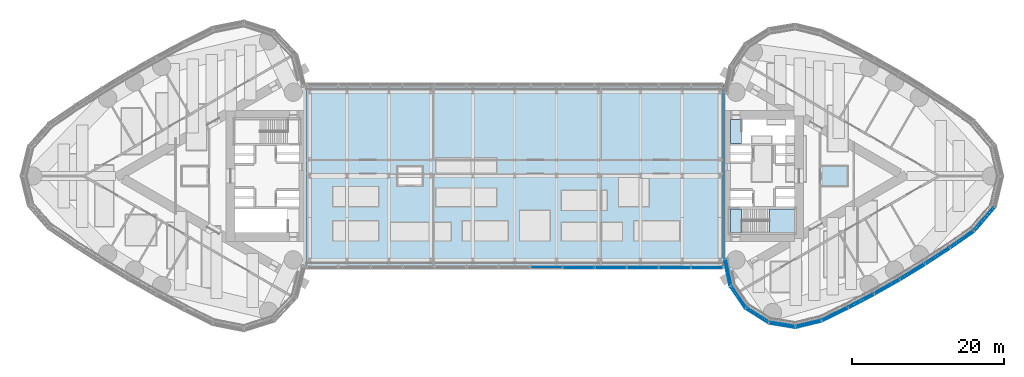
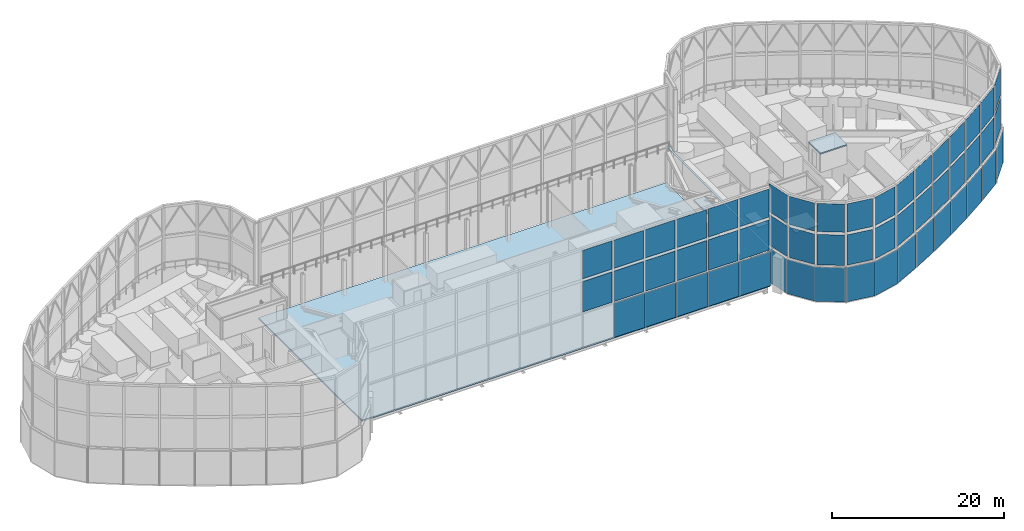
# One storey, part 24 of 33: 55 plates, 5 slabs, 5 elements without a shape of their own.
"""IFC4 building model written with IfcOpenShell, lengths in metres."""

from ifc_helpers import new_model, si_unit, direction, frame, origin, origin_2d, place, context, subcontext, project, spatial, polyline, rectangle, outline, extrude, material, layer, layer_set, type_object, element, aggregate, save


model = new_model("IFC4")

# Units and contexts
model_context = context("Model", 3, precision=1e-05, world=origin(), true_north=direction((0.0, 1.0)))
body_context = subcontext(model_context, "Body", "Model", "MODEL_VIEW")
ifc_project = project(units=[si_unit("LENGTHUNIT", "METRE"), si_unit("AREAUNIT", "SQUARE_METRE"), si_unit("VOLUMEUNIT", "CUBIC_METRE"), si_unit("PLANEANGLEUNIT", "RADIAN"), si_unit("MASSUNIT", "GRAM", prefix="KILO")], contexts=[model_context])

# Site, building, storey
site_placement = place(None, origin())
site = spatial("IfcSite", under=ifc_project, at=site_placement, CompositionType="ELEMENT")
building_placement = place(site_placement, origin())
building = spatial("IfcBuilding", under=site, at=building_placement, Name="Lancet Gate Hotel", CompositionType="ELEMENT")
storey_placement = place(building_placement, frame((0.0, 0.0, 268.300048828125)))
storey = spatial("IfcBuildingStorey", under=building, at=storey_placement, Name="L70", CompositionType="ELEMENT", Elevation=268.300048828125)

# Slab
ifc_material_1 = material(Name="Concrete C40/50", Category="concrete")
ifc_layer_1 = layer(ifc_material_1, 0.199951171875)
ifc_layer_set_1 = layer_set([ifc_layer_1], Name="Composite floor slab 200")
slab_type_1 = type_object("IfcSlabType", Name="Composite floor slab 200", PredefinedType="FLOOR", material=ifc_layer_set_1)
slab_1_placement = place(storey_placement, frame((0.0, 0.0, -0.199951171875)))
element("IfcSlab", 1, at=slab_1_placement, inside=storey, type_object=slab_type_1, Name="Bridge block L70 floor slab", PredefinedType="FLOOR", context=body_context, shape_type="SweptSolid", body=[
    extrude(outline(polyline([(27.35009765625, -12.0), (27.35009765625, 12.0), (-27.35009765625, 12.0), (-27.35009765625, -12.0), (27.35009765625, -12.0)])), origin(), (0.0, 0.0, 1.0), 0.199951171875),
])

# Curtain wall, plates
ifc_material_2 = material(Name="Aluminium curtain wall", Category="aluminium")
curtain_wall_type_1 = type_object("IfcCurtainWallType", Name="Lantern crown glazing", PredefinedType="USERDEFINED", material=ifc_material_2)
curtain_wall_1_placement = place(storey_placement, origin())
curtain_wall_1 = element("IfcCurtainWall", 2, at=curtain_wall_1_placement, inside=storey, type_object=curtain_wall_type_1, Name="T2 L70 curtain wall 1", ObjectType="LANTERN GLAZING", PredefinedType="USERDEFINED")
ifc_material_3 = material(Name="Laminated low-iron glass 12-12", Category="glass")
ifc_layer_2 = layer(ifc_material_3, 0.02392578125)
ifc_layer_set_2 = layer_set([ifc_layer_2], Name="Lantern glass panel")
plate_type_1 = type_object("IfcPlateType", Name="Lantern glass panel", PredefinedType="CURTAIN_PANEL", material=ifc_layer_set_2)
plate_1_placement = place(storey_placement, frame((27.8583984375, -12.707763671875, 0.0), z_axis=(0.0, 0.0, 1.0), x_axis=(0.199533486841, -0.979891008036, 0.0)))
plate_1 = element("IfcPlate", 3, at=plate_1_placement, type_object=plate_type_1, Name="T2 L70 curtain wall 1 panel 1", PredefinedType="CURTAIN_PANEL", context=body_context, shape_type="SweptSolid", body=[
    extrude(rectangle(XDim=3.526611328125, YDim=0.02392578125, at=origin_2d()), origin(), (0.0, 0.0, 1.0), 4.85009765625),
])
plate_2_placement = place(storey_placement, frame((29.234619140625, -15.947021484375, 0.0), z_axis=(0.0, 0.0, 1.0), x_axis=(0.566823864908, -0.823839005007, 0.0)))
plate_2 = element("IfcPlate", 4, at=plate_2_placement, type_object=plate_type_1, Name="T2 L70 curtain wall 1 panel 2", PredefinedType="CURTAIN_PANEL", context=body_context, shape_type="SweptSolid", body=[
    extrude(rectangle(XDim=3.526611328125, YDim=0.02392578125, at=origin_2d()), origin(), (0.0, 0.0, 1.0), 4.85009765625),
])
plate_3_placement = place(storey_placement, frame((31.767822265625, -18.389892578125, 0.0), z_axis=(0.0, 0.0, 1.0), x_axis=(0.843845020422, -0.536586974785, 0.0)))
plate_3 = element("IfcPlate", 5, at=plate_3_placement, type_object=plate_type_1, Name="T2 L70 curtain wall 1 panel 3", PredefinedType="CURTAIN_PANEL", context=body_context, shape_type="SweptSolid", body=[
    extrude(rectangle(XDim=3.526611328125, YDim=0.02392578125, at=origin_2d()), origin(), (0.0, 0.0, 1.0), 4.85009765625),
])
plate_4_placement = place(storey_placement, frame((35.0546875, -19.64794921875, 0.0), z_axis=(0.0, 0.0, 1.0), x_axis=(0.986480101775, -0.163881081283, 0.0)))
plate_4 = element("IfcPlate", 6, at=plate_4_placement, type_object=plate_type_1, Name="T2 L70 curtain wall 1 panel 4", PredefinedType="CURTAIN_PANEL", context=body_context, shape_type="SweptSolid", body=[
    extrude(rectangle(XDim=3.526611328125, YDim=0.02392578125, at=origin_2d()), origin(), (0.0, 0.0, 1.0), 4.85009765625),
])
plate_5_placement = place(storey_placement, frame((38.57177734375, -19.520263671875, 0.0), z_axis=(0.0, 0.0, 1.0), x_axis=(0.972013837597, 0.234923603582, 0.0)))
plate_5 = element("IfcPlate", 7, at=plate_5_placement, type_object=plate_type_1, Name="T2 L70 curtain wall 1 panel 5", PredefinedType="CURTAIN_PANEL", context=body_context, shape_type="SweptSolid", body=[
    extrude(rectangle(XDim=3.526611328125, YDim=0.02392578125, at=origin_2d()), origin(), (0.0, 0.0, 1.0), 4.85009765625),
])
plate_6_placement = place(storey_placement, frame((42.062744140625, -18.247314453125, 0.0), z_axis=(0.0, 0.0, 1.0), x_axis=(0.898823462202, 0.438310830114, 0.0)))
plate_6 = element("IfcPlate", 8, at=plate_6_placement, type_object=plate_type_1, Name="T2 L70 curtain wall 1 panel 6", PredefinedType="CURTAIN_PANEL", context=body_context, shape_type="SweptSolid", body=[
    extrude(rectangle(XDim=3.818603515625, YDim=0.02392578125, at=origin_2d()), origin(), (0.0, 0.0, 1.0), 4.85009765625),
])
plate_7_placement = place(storey_placement, frame((45.52587890625, -16.49072265625, 0.0), z_axis=(0.0, 0.0, 1.0), x_axis=(0.884622760861, 0.466307378204, 0.0)))
plate_7 = element("IfcPlate", 9, at=plate_7_placement, type_object=plate_type_1, Name="T2 L70 curtain wall 1 panel 7", PredefinedType="CURTAIN_PANEL", context=body_context, shape_type="SweptSolid", body=[
    extrude(rectangle(XDim=3.818603515625, YDim=0.02392578125, at=origin_2d()), origin(), (0.0, 0.0, 1.0), 4.85009765625),
])
plate_8_placement = place(storey_placement, frame((48.93212890625, -14.626220703125, 0.0), z_axis=(0.0, 0.0, 1.0), x_axis=(0.869550293306, 0.493844395951, 0.0)))
plate_8 = element("IfcPlate", 10, at=plate_8_placement, type_object=plate_type_1, Name="T2 L70 curtain wall 1 panel 8", PredefinedType="CURTAIN_PANEL", context=body_context, shape_type="SweptSolid", body=[
    extrude(rectangle(XDim=3.818603515625, YDim=0.02392578125, at=origin_2d()), origin(), (0.0, 0.0, 1.0), 4.85009765625),
])
plate_9_placement = place(storey_placement, frame((52.278076171875, -12.65576171875, 0.0), z_axis=(0.0, 0.0, 1.0), x_axis=(0.853620912967, 0.520894746513, 0.0)))
plate_9 = element("IfcPlate", 11, at=plate_9_placement, type_object=plate_type_1, Name="T2 L70 curtain wall 1 panel 9", PredefinedType="CURTAIN_PANEL", context=body_context, shape_type="SweptSolid", body=[
    extrude(rectangle(XDim=3.818603515625, YDim=0.02392578125, at=origin_2d()), origin(), (0.0, 0.0, 1.0), 4.85009765625),
])
plate_10_placement = place(storey_placement, frame((55.560791015625, -10.581298828125, 0.0), z_axis=(0.0, 0.0, 1.0), x_axis=(0.83685031771, 0.547431772688, 0.0)))
plate_10 = element("IfcPlate", 12, at=plate_10_placement, type_object=plate_type_1, Name="T2 L70 curtain wall 1 panel 10", PredefinedType="CURTAIN_PANEL", context=body_context, shape_type="SweptSolid", body=[
    extrude(rectangle(XDim=3.818603515625, YDim=0.02392578125, at=origin_2d()), origin(), (0.0, 0.0, 1.0), 4.85009765625),
])
plate_11_placement = place(storey_placement, frame((58.776611328125, -8.40478515625, 0.0), z_axis=(0.0, 0.0, 1.0), x_axis=(0.819255034386, 0.573429323137, 0.0)))
plate_11 = element("IfcPlate", 13, at=plate_11_placement, type_object=plate_type_1, Name="T2 L70 curtain wall 1 panel 11", PredefinedType="CURTAIN_PANEL", context=body_context, shape_type="SweptSolid", body=[
    extrude(rectangle(XDim=3.818603515625, YDim=0.02392578125, at=origin_2d()), origin(), (0.0, 0.0, 1.0), 4.85009765625),
])
plate_12_placement = place(storey_placement, frame((61.737060546875, -5.692626953125, 0.0), z_axis=(0.0, 0.0, 1.0), x_axis=(0.650551562434, 0.759462088991, 0.0)))
plate_12 = element("IfcPlate", 14, at=plate_12_placement, type_object=plate_type_1, Name="T2 L70 curtain wall 1 panel 12", PredefinedType="CURTAIN_PANEL", context=body_context, shape_type="SweptSolid", body=[
    extrude(rectangle(XDim=4.1455078125, YDim=0.02392578125, at=origin_2d()), origin(), (0.0, 0.0, 1.0), 4.85009765625),
])
aggregate(curtain_wall_1, [plate_1, plate_2, plate_3, plate_4, plate_5, plate_6, plate_7, plate_8, plate_9, plate_10, plate_11, plate_12])

curtain_wall_2_placement = place(storey_placement, origin())
curtain_wall_2 = element("IfcCurtainWall", 15, at=curtain_wall_2_placement, inside=storey, type_object=curtain_wall_type_1, Name="Bridge block L70 curtain wall S", ObjectType="LANTERN GLAZING", PredefinedType="USERDEFINED")
plate_13_placement = place(storey_placement, frame((8.415283203125, -12.1201171875, 0.0), z_axis=(0.0, 0.0, 1.0), x_axis=(1.0, 0.0, 0.0)))
plate_13 = element("IfcPlate", 16, at=plate_13_placement, type_object=plate_type_1, Name="Bridge block L70 curtain wall S panel 9", PredefinedType="CURTAIN_PANEL", context=body_context, shape_type="SweptSolid", body=[
    extrude(rectangle(XDim=4.142578125, YDim=0.02392578125, at=origin_2d()), origin(), (0.0, 0.0, 1.0), 4.85009765625),
])
plate_14_placement = place(storey_placement, frame((12.623046875, -12.1201171875, 0.0), z_axis=(0.0, 0.0, 1.0), x_axis=(1.0, 0.0, 0.0)))
plate_14 = element("IfcPlate", 17, at=plate_14_placement, type_object=plate_type_1, Name="Bridge block L70 curtain wall S panel 10", PredefinedType="CURTAIN_PANEL", context=body_context, shape_type="SweptSolid", body=[
    extrude(rectangle(XDim=4.142578125, YDim=0.02392578125, at=origin_2d()), origin(), (0.0, 0.0, 1.0), 4.85009765625),
])
plate_15_placement = place(storey_placement, frame((16.830810546875, -12.1201171875, 0.0), z_axis=(0.0, 0.0, 1.0), x_axis=(1.0, 0.0, 0.0)))
plate_15 = element("IfcPlate", 18, at=plate_15_placement, type_object=plate_type_1, Name="Bridge block L70 curtain wall S panel 11", PredefinedType="CURTAIN_PANEL", context=body_context, shape_type="SweptSolid", body=[
    extrude(rectangle(XDim=4.142578125, YDim=0.02392578125, at=origin_2d()), origin(), (0.0, 0.0, 1.0), 4.85009765625),
])
plate_16_placement = place(storey_placement, frame((21.03857421875, -12.1201171875, 0.0), z_axis=(0.0, 0.0, 1.0), x_axis=(1.0, 0.0, 0.0)))
plate_16 = element("IfcPlate", 19, at=plate_16_placement, type_object=plate_type_1, Name="Bridge block L70 curtain wall S panel 12", PredefinedType="CURTAIN_PANEL", context=body_context, shape_type="SweptSolid", body=[
    extrude(rectangle(XDim=4.142578125, YDim=0.02392578125, at=origin_2d()), origin(), (0.0, 0.0, 1.0), 4.85009765625),
])
plate_17_placement = place(storey_placement, frame((25.24609375, -12.1201171875, 0.0), z_axis=(0.0, 0.0, 1.0), x_axis=(1.0, 0.0, 0.0)))
plate_17 = element("IfcPlate", 20, at=plate_17_placement, type_object=plate_type_1, Name="Bridge block L70 curtain wall S panel 13", PredefinedType="CURTAIN_PANEL", context=body_context, shape_type="SweptSolid", body=[
    extrude(rectangle(XDim=4.142578125, YDim=0.02392578125, at=origin_2d()), origin(), (0.0, 0.0, 1.0), 4.85009765625),
])
aggregate(curtain_wall_2, [plate_13, plate_14, plate_15, plate_16, plate_17])

ifc_material_4 = material(Name="Steel framed lantern screen", Category="steel")
curtain_wall_type_2 = type_object("IfcCurtainWallType", Name="Lantern screen", PredefinedType="USERDEFINED", material=ifc_material_4)
curtain_wall_3_placement = place(storey_placement, origin())
curtain_wall_3 = element("IfcCurtainWall", 21, at=curtain_wall_3_placement, inside=storey, type_object=curtain_wall_type_2, Name="T2 lantern screen 1", ObjectType="LANTERN SCREEN", PredefinedType="USERDEFINED")
ifc_material_5 = material(Name="Laminated low-iron glass 12-12", Category="glass")
ifc_layer_3 = layer(ifc_material_5, 0.02392578125)
ifc_layer_set_3 = layer_set([ifc_layer_3], Name="Lantern screen glass panel")
plate_type_2 = type_object("IfcPlateType", Name="Lantern screen glass panel", PredefinedType="CURTAIN_PANEL", material=ifc_layer_set_3)
plate_18_placement = place(storey_placement, frame((28.095947265625, -12.6220703125, 5.0), z_axis=(0.0, 0.0, 1.0), x_axis=(0.199533486841, -0.979891008036, 0.0)))
plate_18 = element("IfcPlate", 22, at=plate_18_placement, type_object=plate_type_2, Name="T2 lantern screen 1 glass 1L", PredefinedType="CURTAIN_PANEL", context=body_context, shape_type="SweptSolid", body=[
    extrude(rectangle(XDim=3.268310546875, YDim=0.02392578125, at=origin_2d()), origin(), (0.0, 0.0, 1.0), 4.300048828125),
])
plate_19_placement = place(storey_placement, frame((28.095947265625, -12.6220703125, 9.699951171875), z_axis=(0.0, 0.0, 1.0), x_axis=(0.199533486841, -0.979891008036, 0.0)))
plate_19 = element("IfcPlate", 23, at=plate_19_placement, type_object=plate_type_2, Name="T2 lantern screen 1 glass 1U", PredefinedType="CURTAIN_PANEL", context=body_context, shape_type="SweptSolid", body=[
    extrude(rectangle(XDim=3.268310546875, YDim=0.02392578125, at=origin_2d()), origin(), (0.0, 0.0, 1.0), 4.0),
])
plate_20_placement = place(storey_placement, frame((29.4404296875, -15.80517578125, 5.0), z_axis=(0.0, 0.0, 1.0), x_axis=(0.566823864908, -0.823839005007, 0.0)))
plate_20 = element("IfcPlate", 24, at=plate_20_placement, type_object=plate_type_2, Name="T2 lantern screen 1 glass 2L", PredefinedType="CURTAIN_PANEL", context=body_context, shape_type="SweptSolid", body=[
    extrude(rectangle(XDim=3.195068359375, YDim=0.02392578125, at=origin_2d()), origin(), (0.0, 0.0, 1.0), 4.300048828125),
])
plate_21_placement = place(storey_placement, frame((29.4404296875, -15.80517578125, 9.699951171875), z_axis=(0.0, 0.0, 1.0), x_axis=(0.566823864908, -0.823839005007, 0.0)))
plate_21 = element("IfcPlate", 25, at=plate_21_placement, type_object=plate_type_2, Name="T2 lantern screen 1 glass 2U", PredefinedType="CURTAIN_PANEL", context=body_context, shape_type="SweptSolid", body=[
    extrude(rectangle(XDim=3.195068359375, YDim=0.02392578125, at=origin_2d()), origin(), (0.0, 0.0, 1.0), 4.0),
])
plate_22_placement = place(storey_placement, frame((31.90185546875, -18.178955078125, 5.0), z_axis=(0.0, 0.0, 1.0), x_axis=(0.843845020422, -0.536586974785, 0.0)))
plate_22 = element("IfcPlate", 26, at=plate_22_placement, type_object=plate_type_2, Name="T2 lantern screen 1 glass 3L", PredefinedType="CURTAIN_PANEL", context=body_context, shape_type="SweptSolid", body=[
    extrude(rectangle(XDim=3.195068359375, YDim=0.02392578125, at=origin_2d()), origin(), (0.0, 0.0, 1.0), 4.300048828125),
])
plate_23_placement = place(storey_placement, frame((31.90185546875, -18.178955078125, 9.699951171875), z_axis=(0.0, 0.0, 1.0), x_axis=(0.843845020422, -0.536586974785, 0.0)))
plate_23 = element("IfcPlate", 27, at=plate_23_placement, type_object=plate_type_2, Name="T2 lantern screen 1 glass 3U", PredefinedType="CURTAIN_PANEL", context=body_context, shape_type="SweptSolid", body=[
    extrude(rectangle(XDim=3.195068359375, YDim=0.02392578125, at=origin_2d()), origin(), (0.0, 0.0, 1.0), 4.0),
])
plate_24_placement = place(storey_placement, frame((35.095703125, -19.4013671875, 5.0), z_axis=(0.0, 0.0, 1.0), x_axis=(0.986480101775, -0.163881081283, 0.0)))
plate_24 = element("IfcPlate", 28, at=plate_24_placement, type_object=plate_type_2, Name="T2 lantern screen 1 glass 4L", PredefinedType="CURTAIN_PANEL", context=body_context, shape_type="SweptSolid", body=[
    extrude(rectangle(XDim=3.195068359375, YDim=0.02392578125, at=origin_2d()), origin(), (0.0, 0.0, 1.0), 4.300048828125),
])
plate_25_placement = place(storey_placement, frame((35.095703125, -19.4013671875, 9.699951171875), z_axis=(0.0, 0.0, 1.0), x_axis=(0.986480101775, -0.163881081283, 0.0)))
plate_25 = element("IfcPlate", 29, at=plate_25_placement, type_object=plate_type_2, Name="T2 lantern screen 1 glass 4U", PredefinedType="CURTAIN_PANEL", context=body_context, shape_type="SweptSolid", body=[
    extrude(rectangle(XDim=3.195068359375, YDim=0.02392578125, at=origin_2d()), origin(), (0.0, 0.0, 1.0), 4.0),
])
plate_26_placement = place(storey_placement, frame((38.52978515625, -19.273193359375, 5.0), z_axis=(0.0, 0.0, 1.0), x_axis=(0.972013837597, 0.234923603582, 0.0)))
plate_26 = element("IfcPlate", 30, at=plate_26_placement, type_object=plate_type_2, Name="T2 lantern screen 1 glass 5L", PredefinedType="CURTAIN_PANEL", context=body_context, shape_type="SweptSolid", body=[
    extrude(rectangle(XDim=3.229248046875, YDim=0.02392578125, at=origin_2d()), origin(), (0.0, 0.0, 1.0), 4.300048828125),
])
plate_27_placement = place(storey_placement, frame((38.52978515625, -19.273193359375, 9.699951171875), z_axis=(0.0, 0.0, 1.0), x_axis=(0.972013837597, 0.234923603582, 0.0)))
plate_27 = element("IfcPlate", 31, at=plate_27_placement, type_object=plate_type_2, Name="T2 lantern screen 1 glass 5U", PredefinedType="CURTAIN_PANEL", context=body_context, shape_type="SweptSolid", body=[
    extrude(rectangle(XDim=3.229248046875, YDim=0.02392578125, at=origin_2d()), origin(), (0.0, 0.0, 1.0), 4.0),
])
plate_28_placement = place(storey_placement, frame((41.96826171875, -18.015380859375, 5.0), z_axis=(0.0, 0.0, 1.0), x_axis=(0.898823462202, 0.438310830114, 0.0)))
plate_28 = element("IfcPlate", 32, at=plate_28_placement, type_object=plate_type_2, Name="T2 lantern screen 1 glass 6L", PredefinedType="CURTAIN_PANEL", context=body_context, shape_type="SweptSolid", body=[
    extrude(rectangle(XDim=3.5888671875, YDim=0.02392578125, at=origin_2d()), origin(), (0.0, 0.0, 1.0), 4.300048828125),
])
plate_29_placement = place(storey_placement, frame((41.96826171875, -18.015380859375, 9.699951171875), z_axis=(0.0, 0.0, 1.0), x_axis=(0.898823462202, 0.438310830114, 0.0)))
plate_29 = element("IfcPlate", 33, at=plate_29_placement, type_object=plate_type_2, Name="T2 lantern screen 1 glass 6U", PredefinedType="CURTAIN_PANEL", context=body_context, shape_type="SweptSolid", body=[
    extrude(rectangle(XDim=3.5888671875, YDim=0.02392578125, at=origin_2d()), origin(), (0.0, 0.0, 1.0), 4.0),
])
plate_30_placement = place(storey_placement, frame((45.4091796875, -16.26953125, 5.0), z_axis=(0.0, 0.0, 1.0), x_axis=(0.884622760861, 0.466307378204, 0.0)))
plate_30 = element("IfcPlate", 34, at=plate_30_placement, type_object=plate_type_2, Name="T2 lantern screen 1 glass 7L", PredefinedType="CURTAIN_PANEL", context=body_context, shape_type="SweptSolid", body=[
    extrude(rectangle(XDim=3.622314453125, YDim=0.02392578125, at=origin_2d()), origin(), (0.0, 0.0, 1.0), 4.300048828125),
])
plate_31_placement = place(storey_placement, frame((45.4091796875, -16.26953125, 9.699951171875), z_axis=(0.0, 0.0, 1.0), x_axis=(0.884622760861, 0.466307378204, 0.0)))
plate_31 = element("IfcPlate", 35, at=plate_31_placement, type_object=plate_type_2, Name="T2 lantern screen 1 glass 7U", PredefinedType="CURTAIN_PANEL", context=body_context, shape_type="SweptSolid", body=[
    extrude(rectangle(XDim=3.622314453125, YDim=0.02392578125, at=origin_2d()), origin(), (0.0, 0.0, 1.0), 4.0),
])
plate_32_placement = place(storey_placement, frame((48.80859375, -14.408935546875, 5.0), z_axis=(0.0, 0.0, 1.0), x_axis=(0.869550293306, 0.493844395951, 0.0)))
plate_32 = element("IfcPlate", 36, at=plate_32_placement, type_object=plate_type_2, Name="T2 lantern screen 1 glass 8L", PredefinedType="CURTAIN_PANEL", context=body_context, shape_type="SweptSolid", body=[
    extrude(rectangle(XDim=3.622314453125, YDim=0.02392578125, at=origin_2d()), origin(), (0.0, 0.0, 1.0), 4.300048828125),
])
plate_33_placement = place(storey_placement, frame((48.80859375, -14.408935546875, 9.699951171875), z_axis=(0.0, 0.0, 1.0), x_axis=(0.869550293306, 0.493844395951, 0.0)))
plate_33 = element("IfcPlate", 37, at=plate_33_placement, type_object=plate_type_2, Name="T2 lantern screen 1 glass 8U", PredefinedType="CURTAIN_PANEL", context=body_context, shape_type="SweptSolid", body=[
    extrude(rectangle(XDim=3.622314453125, YDim=0.02392578125, at=origin_2d()), origin(), (0.0, 0.0, 1.0), 4.0),
])
plate_34_placement = place(storey_placement, frame((52.14794921875, -12.4423828125, 5.0), z_axis=(0.0, 0.0, 1.0), x_axis=(0.853620912967, 0.520894746513, 0.0)))
plate_34 = element("IfcPlate", 38, at=plate_34_placement, type_object=plate_type_2, Name="T2 lantern screen 1 glass 9L", PredefinedType="CURTAIN_PANEL", context=body_context, shape_type="SweptSolid", body=[
    extrude(rectangle(XDim=3.622314453125, YDim=0.02392578125, at=origin_2d()), origin(), (0.0, 0.0, 1.0), 4.300048828125),
])
plate_35_placement = place(storey_placement, frame((52.14794921875, -12.4423828125, 9.699951171875), z_axis=(0.0, 0.0, 1.0), x_axis=(0.853620912967, 0.520894746513, 0.0)))
plate_35 = element("IfcPlate", 39, at=plate_35_placement, type_object=plate_type_2, Name="T2 lantern screen 1 glass 9U", PredefinedType="CURTAIN_PANEL", context=body_context, shape_type="SweptSolid", body=[
    extrude(rectangle(XDim=3.622314453125, YDim=0.02392578125, at=origin_2d()), origin(), (0.0, 0.0, 1.0), 4.0),
])
plate_36_placement = place(storey_placement, frame((55.423828125, -10.3720703125, 5.0), z_axis=(0.0, 0.0, 1.0), x_axis=(0.83685031771, 0.547431772688, 0.0)))
plate_36 = element("IfcPlate", 40, at=plate_36_placement, type_object=plate_type_2, Name="T2 lantern screen 1 glass 10L", PredefinedType="CURTAIN_PANEL", context=body_context, shape_type="SweptSolid", body=[
    extrude(rectangle(XDim=3.622314453125, YDim=0.02392578125, at=origin_2d()), origin(), (0.0, 0.0, 1.0), 4.300048828125),
])
plate_37_placement = place(storey_placement, frame((55.423828125, -10.3720703125, 9.699951171875), z_axis=(0.0, 0.0, 1.0), x_axis=(0.83685031771, 0.547431772688, 0.0)))
plate_37 = element("IfcPlate", 41, at=plate_37_placement, type_object=plate_type_2, Name="T2 lantern screen 1 glass 10U", PredefinedType="CURTAIN_PANEL", context=body_context, shape_type="SweptSolid", body=[
    extrude(rectangle(XDim=3.622314453125, YDim=0.02392578125, at=origin_2d()), origin(), (0.0, 0.0, 1.0), 4.0),
])
plate_38_placement = place(storey_placement, frame((58.616943359375, -8.21142578125, 5.0), z_axis=(0.0, 0.0, 1.0), x_axis=(0.819255034386, 0.573429323137, 0.0)))
plate_38 = element("IfcPlate", 42, at=plate_38_placement, type_object=plate_type_2, Name="T2 lantern screen 1 glass 11L", PredefinedType="CURTAIN_PANEL", context=body_context, shape_type="SweptSolid", body=[
    extrude(rectangle(XDim=3.58251953125, YDim=0.02392578125, at=origin_2d()), origin(), (0.0, 0.0, 1.0), 4.300048828125),
])
plate_39_placement = place(storey_placement, frame((58.616943359375, -8.21142578125, 9.699951171875), z_axis=(0.0, 0.0, 1.0), x_axis=(0.819255034386, 0.573429323137, 0.0)))
plate_39 = element("IfcPlate", 43, at=plate_39_placement, type_object=plate_type_2, Name="T2 lantern screen 1 glass 11U", PredefinedType="CURTAIN_PANEL", context=body_context, shape_type="SweptSolid", body=[
    extrude(rectangle(XDim=3.58251953125, YDim=0.02392578125, at=origin_2d()), origin(), (0.0, 0.0, 1.0), 4.0),
])
plate_40_placement = place(storey_placement, frame((61.53369140625, -5.54541015625, 5.0), z_axis=(0.0, 0.0, 1.0), x_axis=(0.650551562434, 0.759462088991, 0.0)))
plate_40 = element("IfcPlate", 44, at=plate_40_placement, type_object=plate_type_2, Name="T2 lantern screen 1 glass 12L", PredefinedType="CURTAIN_PANEL", context=body_context, shape_type="SweptSolid", body=[
    extrude(rectangle(XDim=3.828369140625, YDim=0.02392578125, at=origin_2d()), origin(), (0.0, 0.0, 1.0), 4.300048828125),
])
plate_41_placement = place(storey_placement, frame((61.53369140625, -5.54541015625, 9.699951171875), z_axis=(0.0, 0.0, 1.0), x_axis=(0.650551562434, 0.759462088991, 0.0)))
plate_41 = element("IfcPlate", 45, at=plate_41_placement, type_object=plate_type_2, Name="T2 lantern screen 1 glass 12U", PredefinedType="CURTAIN_PANEL", context=body_context, shape_type="SweptSolid", body=[
    extrude(rectangle(XDim=3.828369140625, YDim=0.02392578125, at=origin_2d()), origin(), (0.0, 0.0, 1.0), 4.0),
])
aggregate(curtain_wall_3, [plate_18, plate_19, plate_20, plate_21, plate_22, plate_23, plate_24, plate_25, plate_26, plate_27, plate_28, plate_29, plate_30, plate_31, plate_32, plate_33, plate_34, plate_35, plate_36, plate_37, plate_38, plate_39, plate_40, plate_41])

curtain_wall_4_placement = place(storey_placement, origin())
curtain_wall_4 = element("IfcCurtainWall", 46, at=curtain_wall_4_placement, inside=storey, type_object=curtain_wall_type_2, Name="Bridge block lantern screen S", ObjectType="LANTERN SCREEN", PredefinedType="USERDEFINED")
plate_42_placement = place(storey_placement, frame((4.207763671875, -11.989990234375, 5.0), z_axis=(0.0, 0.0, 1.0), x_axis=(1.0, 0.0, 0.0)))
plate_42 = element("IfcPlate", 47, at=plate_42_placement, type_object=plate_type_2, Name="Bridge block lantern screen S glass 8L", PredefinedType="CURTAIN_PANEL", context=body_context, shape_type="SweptSolid", body=[
    extrude(rectangle(XDim=3.957763671875, YDim=0.02392578125, at=origin_2d()), origin(), (0.0, 0.0, 1.0), 4.300048828125),
])
plate_43_placement = place(storey_placement, frame((4.207763671875, -11.989990234375, 9.699951171875), z_axis=(0.0, 0.0, 1.0), x_axis=(1.0, 0.0, 0.0)))
plate_43 = element("IfcPlate", 48, at=plate_43_placement, type_object=plate_type_2, Name="Bridge block lantern screen S glass 8U", PredefinedType="CURTAIN_PANEL", context=body_context, shape_type="SweptSolid", body=[
    extrude(rectangle(XDim=3.957763671875, YDim=0.02392578125, at=origin_2d()), origin(), (0.0, 0.0, 1.0), 4.0),
])
plate_44_placement = place(storey_placement, frame((8.415283203125, -11.989990234375, 5.0), z_axis=(0.0, 0.0, 1.0), x_axis=(1.0, 0.0, 0.0)))
plate_44 = element("IfcPlate", 49, at=plate_44_placement, type_object=plate_type_2, Name="Bridge block lantern screen S glass 9L", PredefinedType="CURTAIN_PANEL", context=body_context, shape_type="SweptSolid", body=[
    extrude(rectangle(XDim=3.957763671875, YDim=0.02392578125, at=origin_2d()), origin(), (0.0, 0.0, 1.0), 4.300048828125),
])
plate_45_placement = place(storey_placement, frame((8.415283203125, -11.989990234375, 9.699951171875), z_axis=(0.0, 0.0, 1.0), x_axis=(1.0, 0.0, 0.0)))
plate_45 = element("IfcPlate", 50, at=plate_45_placement, type_object=plate_type_2, Name="Bridge block lantern screen S glass 9U", PredefinedType="CURTAIN_PANEL", context=body_context, shape_type="SweptSolid", body=[
    extrude(rectangle(XDim=3.957763671875, YDim=0.02392578125, at=origin_2d()), origin(), (0.0, 0.0, 1.0), 4.0),
])
plate_46_placement = place(storey_placement, frame((12.623046875, -11.989990234375, 5.0), z_axis=(0.0, 0.0, 1.0), x_axis=(1.0, 0.0, 0.0)))
plate_46 = element("IfcPlate", 51, at=plate_46_placement, type_object=plate_type_2, Name="Bridge block lantern screen S glass 10L", PredefinedType="CURTAIN_PANEL", context=body_context, shape_type="SweptSolid", body=[
    extrude(rectangle(XDim=3.957763671875, YDim=0.02392578125, at=origin_2d()), origin(), (0.0, 0.0, 1.0), 4.300048828125),
])
plate_47_placement = place(storey_placement, frame((12.623046875, -11.989990234375, 9.699951171875), z_axis=(0.0, 0.0, 1.0), x_axis=(1.0, 0.0, 0.0)))
plate_47 = element("IfcPlate", 52, at=plate_47_placement, type_object=plate_type_2, Name="Bridge block lantern screen S glass 10U", PredefinedType="CURTAIN_PANEL", context=body_context, shape_type="SweptSolid", body=[
    extrude(rectangle(XDim=3.957763671875, YDim=0.02392578125, at=origin_2d()), origin(), (0.0, 0.0, 1.0), 4.0),
])
plate_48_placement = place(storey_placement, frame((16.830810546875, -11.989990234375, 5.0), z_axis=(0.0, 0.0, 1.0), x_axis=(1.0, 0.0, 0.0)))
plate_48 = element("IfcPlate", 53, at=plate_48_placement, type_object=plate_type_2, Name="Bridge block lantern screen S glass 11L", PredefinedType="CURTAIN_PANEL", context=body_context, shape_type="SweptSolid", body=[
    extrude(rectangle(XDim=3.957763671875, YDim=0.02392578125, at=origin_2d()), origin(), (0.0, 0.0, 1.0), 4.300048828125),
])
plate_49_placement = place(storey_placement, frame((16.830810546875, -11.989990234375, 9.699951171875), z_axis=(0.0, 0.0, 1.0), x_axis=(1.0, 0.0, 0.0)))
plate_49 = element("IfcPlate", 54, at=plate_49_placement, type_object=plate_type_2, Name="Bridge block lantern screen S glass 11U", PredefinedType="CURTAIN_PANEL", context=body_context, shape_type="SweptSolid", body=[
    extrude(rectangle(XDim=3.957763671875, YDim=0.02392578125, at=origin_2d()), origin(), (0.0, 0.0, 1.0), 4.0),
])
plate_50_placement = place(storey_placement, frame((21.03857421875, -11.989990234375, 5.0), z_axis=(0.0, 0.0, 1.0), x_axis=(1.0, 0.0, 0.0)))
plate_50 = element("IfcPlate", 55, at=plate_50_placement, type_object=plate_type_2, Name="Bridge block lantern screen S glass 12L", PredefinedType="CURTAIN_PANEL", context=body_context, shape_type="SweptSolid", body=[
    extrude(rectangle(XDim=3.957763671875, YDim=0.02392578125, at=origin_2d()), origin(), (0.0, 0.0, 1.0), 4.300048828125),
])
plate_51_placement = place(storey_placement, frame((21.03857421875, -11.989990234375, 9.699951171875), z_axis=(0.0, 0.0, 1.0), x_axis=(1.0, 0.0, 0.0)))
plate_51 = element("IfcPlate", 56, at=plate_51_placement, type_object=plate_type_2, Name="Bridge block lantern screen S glass 12U", PredefinedType="CURTAIN_PANEL", context=body_context, shape_type="SweptSolid", body=[
    extrude(rectangle(XDim=3.957763671875, YDim=0.02392578125, at=origin_2d()), origin(), (0.0, 0.0, 1.0), 4.0),
])
plate_52_placement = place(storey_placement, frame((25.24609375, -11.989990234375, 5.0), z_axis=(0.0, 0.0, 1.0), x_axis=(1.0, 0.0, 0.0)))
plate_52 = element("IfcPlate", 57, at=plate_52_placement, type_object=plate_type_2, Name="Bridge block lantern screen S glass 13L", PredefinedType="CURTAIN_PANEL", context=body_context, shape_type="SweptSolid", body=[
    extrude(rectangle(XDim=3.957763671875, YDim=0.02392578125, at=origin_2d()), origin(), (0.0, 0.0, 1.0), 4.300048828125),
])
plate_53_placement = place(storey_placement, frame((25.24609375, -11.989990234375, 9.699951171875), z_axis=(0.0, 0.0, 1.0), x_axis=(1.0, 0.0, 0.0)))
plate_53 = element("IfcPlate", 58, at=plate_53_placement, type_object=plate_type_2, Name="Bridge block lantern screen S glass 13U", PredefinedType="CURTAIN_PANEL", context=body_context, shape_type="SweptSolid", body=[
    extrude(rectangle(XDim=3.957763671875, YDim=0.02392578125, at=origin_2d()), origin(), (0.0, 0.0, 1.0), 4.0),
])
aggregate(curtain_wall_4, [plate_42, plate_43, plate_44, plate_45, plate_46, plate_47, plate_48, plate_49, plate_50, plate_51, plate_52, plate_53])

# Plates
ifc_material_6 = material(Name="Aluminium chequer plate", Category="aluminium")
ifc_layer_4 = layer(ifc_material_6, 0.014892578125)
ifc_layer_set_4 = layer_set([ifc_layer_4], Name="Movement joint cover plate 15")
plate_type_3 = type_object("IfcPlateType", Name="Movement joint cover plate 15", PredefinedType="SHEET", material=ifc_layer_set_4)
plate_54_placement = place(storey_placement, frame((0.0, 0.0, 4.98486328125)))
element("IfcPlate", 59, at=plate_54_placement, inside=storey, type_object=plate_type_3, Name="Movement joint cover plate T2 L70", PredefinedType="SHEET", context=body_context, shape_type="SweptSolid", body=[
    extrude(outline(polyline([(27.35009765625, -12.0), (27.836669921875, -12.0), (27.6201171875, -10.93603515625), (27.6201171875, 10.93603515625), (27.836669921875, 12.0), (27.35009765625, 12.0), (27.35009765625, -12.0)])), origin(), (0.0, 0.0, 1.0), 0.01513671875),
])
ifc_material_7 = material(Name="Aluminium roof deck sheet", Category="aluminium")
ifc_layer_5 = layer(ifc_material_7, 0.14990234375)
ifc_layer_set_5 = layer_set([ifc_layer_5], Name="Roof access store deck plate 150")
plate_type_4 = type_object("IfcPlateType", Name="Roof access store deck plate 150", PredefinedType="SHEET", material=ifc_layer_set_5)
plate_55_placement = place(storey_placement, frame((0.0, 0.0, 7.599853515625)))
element("IfcPlate", 60, at=plate_55_placement, inside=storey, type_object=plate_type_4, Name="T2 roof access store deck", PredefinedType="SHEET", context=body_context, shape_type="SweptSolid", body=[
    extrude(outline(polyline([(43.800048828125, -1.39990234375), (43.800048828125, 1.39990234375), (40.199951171875, 1.39990234375), (40.199951171875, -1.39990234375), (43.800048828125, -1.39990234375)])), origin(), (0.0, 0.0, 1.0), 0.150146484375),
])

# Stair, slabs
ifc_material_8 = material(Name="Exit stair 28 risers 1500")
stair_type = type_object("IfcStairType", Name="Exit stair 28 risers 1500", PredefinedType="HALF_TURN_STAIR", material=ifc_material_8)
stair_placement = place(storey_placement, origin())
stair = element("IfcStair", 61, at=stair_placement, inside=storey, type_object=stair_type, Name="T2 stair 1 L70", PredefinedType="HALF_TURN_STAIR")
ifc_material_9 = material(Name="Concrete C40/50", Category="concrete")
ifc_layer_6 = layer(ifc_material_9, 0.199951171875)
ifc_layer_set_6 = layer_set([ifc_layer_6], Name="Stair landing 200")
slab_type_2 = type_object("IfcSlabType", Name="Stair landing 200", PredefinedType="LANDING", material=ifc_layer_set_6)
slab_2_placement = place(storey_placement, frame((0.0, 0.0, -0.199951171875)))
slab_2 = element("IfcSlab", 62, at=slab_2_placement, type_object=slab_type_2, Name="ST3 landing 1", PredefinedType="LANDING", context=body_context, shape_type="SweptSolid", body=[
    extrude(outline(polyline([(28.300048828125, -7.39990234375), (29.800048828125, -7.39990234375), (29.800048828125, -4.300048828125), (28.300048828125, -4.300048828125), (28.300048828125, -7.39990234375)])), origin(), (0.0, 0.0, 1.0), 0.199951171875),
])
slab_3_placement = place(storey_placement, frame((0.0, 0.0, 2.300048828125)))
slab_3 = element("IfcSlab", 63, at=slab_3_placement, type_object=slab_type_2, Name="ST3 landing 2", PredefinedType="LANDING", context=body_context, shape_type="SweptSolid", body=[
    extrude(outline(polyline([(33.43994140625, -7.39990234375), (36.699951171875, -7.39990234375), (36.699951171875, -4.300048828125), (33.43994140625, -4.300048828125), (33.43994140625, -7.39990234375)])), origin(), (0.0, 0.0, 1.0), 0.199951171875),
])
aggregate(stair, [slab_2, slab_3])

# Slabs
slab_4_placement = place(storey_placement, frame((0.0, 0.0, 4.800048828125)))
element("IfcSlab", 64, at=slab_4_placement, inside=storey, type_object=slab_type_2, Name="ST3 top landing L70 roof", PredefinedType="LANDING", context=body_context, shape_type="SweptSolid", body=[
    extrude(outline(polyline([(28.300048828125, -7.39990234375), (29.800048828125, -7.39990234375), (29.800048828125, -4.300048828125), (28.300048828125, -4.300048828125), (28.300048828125, -7.39990234375)])), origin(), (0.0, 0.0, 1.0), 0.199951171875),
])
slab_5_placement = place(storey_placement, frame((0.0, 0.0, -0.199951171875)))
element("IfcSlab", 65, at=slab_5_placement, inside=storey, type_object=slab_type_2, Name="ST4 top landing L70", PredefinedType="LANDING", context=body_context, shape_type="SweptSolid", body=[
    extrude(outline(polyline([(28.300048828125, 4.300048828125), (29.800048828125, 4.300048828125), (29.800048828125, 7.39990234375), (28.300048828125, 7.39990234375), (28.300048828125, 4.300048828125)])), origin(), (0.0, 0.0, 1.0), 0.199951171875),
])

save(model, "model.ifc")
